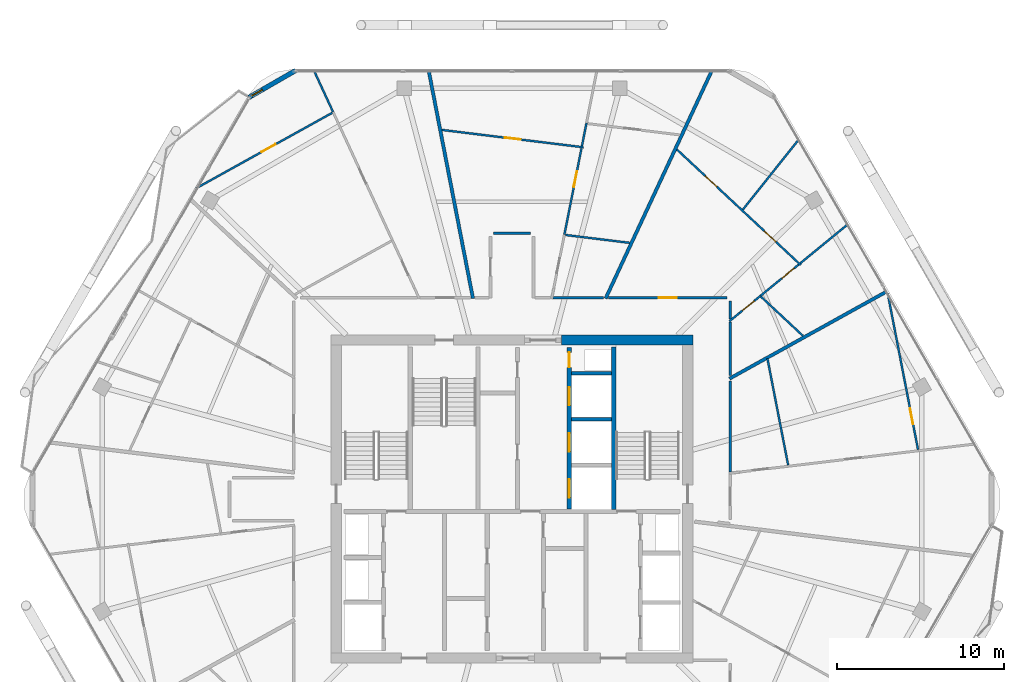
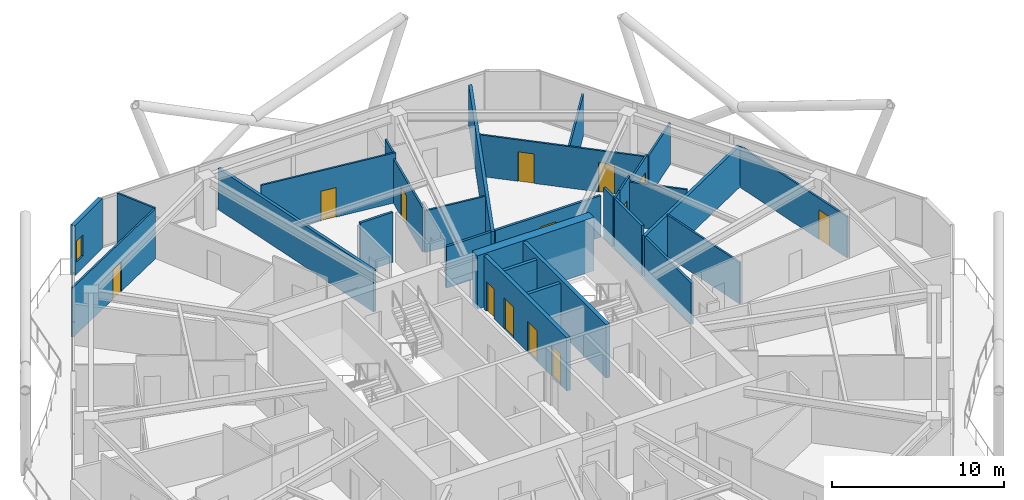
# One storey, part 24 of 29: 30 walls, 13 doors, 1 window, 14 openings.
"""IFC4 building model written with IfcOpenShell, lengths in metres."""

import ifcopenshell
import ifcopenshell.guid

model = None  # the IFC model being written
_history = None  # IfcOwnerHistory: only IFC2X3 demands one
_inside = {}  # id of a spatial element -> (the spatial element, [elements in it])
_under = {}  # id of a project, library or spatial element -> (it, [spatial elements below it])
_declared = {}  # id of a project -> (the project, [libraries it declares])
_typed = {}  # id of a type object -> (the type object, [elements of that type])
_made_of = {}  # id of a material, layer set ... -> (it, [elements and type objects made of it])


def new_model(schema):
    """Start an empty IFC model of exactly this schema.

    Asked for "IFC4X3", IfcOpenShell would pick the latest addendum, in which some entities
    have other attributes; the version numbers below select the first issue.
    IFC2X3 requires an IfcOwnerHistory on every rooted entity: one is made here for all.
    """
    global model, _history
    if schema == "IFC4X3":
        model = ifcopenshell.file(schema_version=(4, 3, 0, 0))
    else:
        model = ifcopenshell.file(schema=schema)
    _inside.clear()
    _under.clear()
    _declared.clear()
    _typed.clear()
    _made_of.clear()
    _history = None
    if model.schema == "IFC2X3":
        org = make("IfcOrganization", Name="unknown")
        user = make(
            "IfcPersonAndOrganization",
            ThePerson=make("IfcPerson", FamilyName="unknown"),
            TheOrganization=org,
        )
        app = make(
            "IfcApplication",
            ApplicationDeveloper=org,
            Version="unknown",
            ApplicationFullName="unknown",
            ApplicationIdentifier="unknown",
        )
        _history = make(
            "IfcOwnerHistory",
            OwningUser=user,
            OwningApplication=app,
            ChangeAction="ADDED",
            CreationDate=0,
        )
    return model


def make(cls, **values):
    """One entity of the class cls with the attributes given. An attribute that is None is left unset."""
    return model.create_entity(
        cls, **{name: value for name, value in values.items() if value is not None}
    )


def rooted(cls, **values):
    """An entity with a GlobalId (a new one), such as an element, a storey or a relation."""
    return make(cls, GlobalId=ifcopenshell.guid.new(), OwnerHistory=_history, **values)


def si_unit(unit_type, name, prefix=None):
    """IfcSIUnit, for example si_unit("LENGTHUNIT", "METRE", prefix="MILLI")."""
    return make("IfcSIUnit", UnitType=unit_type, Prefix=prefix, Name=name)


def assignment(units):
    """IfcUnitAssignment: the units of a project."""
    return None if units is None else make("IfcUnitAssignment", Units=units)


def point(xyz):
    """IfcCartesianPoint."""
    return None if xyz is None else make("IfcCartesianPoint", Coordinates=xyz)


def direction(xyz):
    """IfcDirection."""
    return None if xyz is None else make("IfcDirection", DirectionRatios=xyz)


def frame(location, z_axis=None, x_axis=None):
    """IfcAxis2Placement3D, a coordinate frame: its origin and axes. An axis left out is left unset."""
    return make(
        "IfcAxis2Placement3D",
        Location=point(location),
        Axis=direction(z_axis),
        RefDirection=direction(x_axis),
    )


def frame_2d(location, x_axis=None):
    """IfcAxis2Placement2D, a coordinate frame in the plane: its origin and x axis."""
    return make(
        "IfcAxis2Placement2D", Location=point(location), RefDirection=direction(x_axis)
    )


def origin():
    """The frame at (0, 0, 0) with its axes left unset."""
    return frame((0.0, 0.0, 0.0))


def place(relative_to, where):
    """IfcLocalPlacement: puts the frame where relative to a parent placement (None: the world)."""
    return make(
        "IfcLocalPlacement", PlacementRelTo=relative_to, RelativePlacement=where
    )


def context(
    kind, dimensions, precision=None, world=None, true_north=None, identifier=None
):
    """IfcGeometricRepresentationContext, for example the 3D "Model" context."""
    return make(
        "IfcGeometricRepresentationContext",
        ContextIdentifier=identifier,
        ContextType=kind,
        CoordinateSpaceDimension=dimensions,
        Precision=precision,
        WorldCoordinateSystem=world,
        TrueNorth=true_north,
    )


def subcontext(parent, identifier, kind, view, scale=None):
    """IfcGeometricRepresentationSubContext, for example "Body" below "Model"."""
    return make(
        "IfcGeometricRepresentationSubContext",
        ContextIdentifier=identifier,
        ContextType=kind,
        ParentContext=parent,
        TargetScale=scale,
        TargetView=view,
    )


def project(units=None, contexts=None):
    """IfcProject with its units and contexts."""
    return rooted(
        "IfcProject",
        Name="project",
        RepresentationContexts=contexts,
        UnitsInContext=assignment(units),
    )


def spatial(cls, under=None, at=None, **own):
    """A site, building, storey or space (cls), placed at a placement, below another one or the project."""
    s = rooted(cls, ObjectPlacement=at, **own)
    if under is not None:
        _under.setdefault(under.id(), (under, []))[1].append(s)
    return s


def profile(cls, at=None, kind="AREA", **sizes):
    """A parametric profile (cls). Its sizes go by their IFC names, for example OverallWidth=200.0."""
    return make(cls, ProfileType=kind, Position=at, **sizes)


def rectangle(**sizes):
    """IfcRectangleProfileDef."""
    return profile("IfcRectangleProfileDef", **sizes)


def extrude(swept, where, along, depth):
    """IfcExtrudedAreaSolid: the profile swept, set in the frame where, extruded along a direction by depth."""
    return make(
        "IfcExtrudedAreaSolid",
        SweptArea=swept,
        Position=where,
        ExtrudedDirection=direction(along),
        Depth=depth,
    )


def shape(context_of_items, identifier, shape_type, items):
    """IfcShapeRepresentation: the items that make up one representation, for example the "Body"."""
    return make(
        "IfcShapeRepresentation",
        ContextOfItems=context_of_items,
        RepresentationIdentifier=identifier,
        RepresentationType=shape_type,
        Items=items,
    )


def material(Name=None, Category=None):
    """IfcMaterial."""
    return make("IfcMaterial", Name=Name, Category=Category)


def layer(
    of_material, thickness, ventilated=None, Name=None, Category=None, Priority=None
):
    """IfcMaterialLayer: one layer of a wall or slab, of a material (None: an air gap)."""
    return make(
        "IfcMaterialLayer",
        Material=of_material,
        LayerThickness=thickness,
        IsVentilated=ventilated,
        Name=Name,
        Category=Category,
        Priority=Priority,
    )


def layer_set(layers, Name=None):
    """IfcMaterialLayerSet."""
    return make("IfcMaterialLayerSet", MaterialLayers=layers, LayerSetName=Name)


def made_of(thing, what):
    """Note that an element or type object is made of a material, layer set ...; save() writes the relation."""
    if what is not None:
        _made_of.setdefault(what.id(), (what, []))[1].append(thing)
    return thing


def type_object(cls, material=None, **own):
    """A type object (cls), such as IfcWallType, which elements share."""
    return made_of(rooted(cls, **own), material)


def element(
    cls,
    number,
    at=None,
    inside=None,
    cuts=None,
    type_object=None,
    material=None,
    context=None,
    identifier="Body",
    shape_type=None,
    held_by="IfcProductDefinitionShape",
    body=None,
    shapes=None,
    **own,
):
    """One element of the class cls, such as IfcWall. Its Tag is "e" and its number.

    at: its placement. inside: the storey or other place that contains it. cuts: it is an
    opening in that element (IfcRelVoidsElement). A single representation is given by context,
    identifier, shape_type and body (its items); several are given by shapes. held_by: the class
    of the entity that holds the representations. save() writes the other relations.
    """
    e = rooted(cls, Tag="e%d" % number, ObjectPlacement=at, **own)
    if body is not None:
        shapes = [shape(context, identifier, shape_type, body)]
    if shapes is not None:
        e.Representation = make(held_by, Representations=shapes)
    if inside is not None:
        _inside.setdefault(inside.id(), (inside, []))[1].append(e)
    if cuts is not None:
        rooted(
            "IfcRelVoidsElement", RelatingBuildingElement=cuts, RelatedOpeningElement=e
        )
    if type_object is not None:
        _typed.setdefault(type_object.id(), (type_object, []))[1].append(e)
    return made_of(e, material)


def fill(opening, filler):
    """IfcRelFillsElement: the door or window that sits in an opening."""
    return rooted(
        "IfcRelFillsElement",
        RelatingOpeningElement=opening,
        RelatedBuildingElement=filler,
    )


def aggregate(whole, parts):
    """IfcRelAggregates: a whole, such as a stair, and the parts it consists of."""
    return rooted("IfcRelAggregates", RelatingObject=whole, RelatedObjects=parts)


def save(model, path):
    """Write the relations noted so far, then the file.

    IfcRelAggregates (storeys below a building ...), IfcRelContainedInSpatialStructure (elements
    in a storey), IfcRelDefinesByType, IfcRelAssociatesMaterial and IfcRelDeclares: one each for
    every whole, place, type object, material and project.
    """
    for whole, parts in _under.values():
        aggregate(whole, parts)
    for where, things in _inside.values():
        rooted(
            "IfcRelContainedInSpatialStructure",
            RelatedElements=things,
            RelatingStructure=where,
        )
    for kind, things in _typed.values():
        rooted("IfcRelDefinesByType", RelatedObjects=things, RelatingType=kind)
    for what, things in _made_of.values():
        rooted("IfcRelAssociatesMaterial", RelatedObjects=things, RelatingMaterial=what)
    for by, libraries in _declared.values():
        rooted("IfcRelDeclares", RelatingContext=by, RelatedDefinitions=libraries)
    model.write(path)


model = new_model("IFC4")

# Units and contexts
model_context = context("Model", 3, precision=1e-05, world=origin(), true_north=direction((0.0, 1.0)))
body_context = subcontext(model_context, "Body", "Model", "MODEL_VIEW")
ifc_project = project(units=[si_unit("LENGTHUNIT", "METRE"), si_unit("AREAUNIT", "SQUARE_METRE"), si_unit("VOLUMEUNIT", "CUBIC_METRE"), si_unit("PLANEANGLEUNIT", "RADIAN"), si_unit("MASSUNIT", "GRAM", prefix="KILO")], contexts=[model_context])

# Site, building, storey
site_placement = place(None, origin())
site = spatial("IfcSite", under=ifc_project, at=site_placement, CompositionType="ELEMENT")
building_placement = place(site_placement, origin())
building = spatial("IfcBuilding", under=site, at=building_placement, Name="Zuhravey Tower", CompositionType="ELEMENT")
storey_placement = place(building_placement, frame((0.0, 0.0, 269.199951171875)))
storey = spatial("IfcBuildingStorey", under=building, at=storey_placement, Name="L68", CompositionType="ELEMENT", Elevation=269.199951171875)

# Wall
ifc_material_1 = material(Name="Concrete C50/60", Category="concrete")
ifc_layer_1 = layer(ifc_material_1, 0.60009765625)
ifc_layer_set_1 = layer_set([ifc_layer_1], Name="Concrete C50/60")
wall_type_1 = type_object("IfcWallType", Name="Core Shear Wall 600", PredefinedType="SHEAR", material=ifc_layer_set_1)
wall_1_placement = place(storey_placement, frame((46.800048828125, 41.5, 0.0), z_axis=(0.0, 0.0, 1.0), x_axis=(-1.0, 0.0, 0.0)))
element("IfcWall", 1, at=wall_1_placement, inside=storey, type_object=wall_type_1, Name="L68 North-East Core Shear Wall CW60", PredefinedType="SHEAR", context=body_context, shape_type="SweptSolid", body=[
    extrude(rectangle(XDim=7.85009765625, YDim=0.60009765625, at=frame_2d((3.925048828125, 0.0))), origin(), (0.0, 0.0, 1.0), 3.800048828125),
])

# Wall, opening, door
ifc_material_2 = material(Name="Gypsum fire-rated stud partition")
ifc_layer_2 = layer(ifc_material_2, 0.159912109375)
ifc_layer_set_2 = layer_set([ifc_layer_2], Name="Gypsum fire-rated stud partition")
wall_type_2 = type_object("IfcWallType", Name="Corridor Fire Partition 160", PredefinedType="PARTITIONING", material=ifc_layer_set_2)
wall_2_placement = place(storey_placement, frame((48.85009765625, 44.030029296875, 0.0), z_axis=(0.0, 0.0, 1.0), x_axis=(-1.0, 0.0, 0.0)))
wall_2 = element("IfcWall", 2, at=wall_2_placement, inside=storey, type_object=wall_type_2, Name="L68 IW16 Partition 059", PredefinedType="PARTITIONING", context=body_context, shape_type="SweptSolid", body=[
    extrude(rectangle(XDim=7.08984375, YDim=0.159912109375, at=frame_2d((3.544921875, 0.0))), origin(), (0.0, 0.0, 1.0), 2.949951171875),
])
opening_1_placement = place(wall_2_placement, frame((3.02001953125, 0.0, 0.0)))
opening_1 = element("IfcOpeningElement", 3, at=opening_1_placement, cuts=wall_2, Name="Opening APD1", PredefinedType="OPENING", context=body_context, shape_type="SweptSolid", body=[
    extrude(rectangle(XDim=1.050048828125, YDim=2.14990234375, at=frame_2d((0.52490234375, 1.074951171875))), frame((0.0, 0.092041015625, 0.0), z_axis=(0.0, -1.0, 0.0), x_axis=(1.0, 0.0, 0.0)), (0.0, 0.0, 1.0), 0.183837890625),
])
ifc_material_3 = material(Name="Solid-core oak fire-rated leaf")
door_type_1 = type_object("IfcDoorType", Name="Apartment Entrance Fire Door 1050x2150", OperationType="NOTDEFINED", PredefinedType="DOOR", material=ifc_material_3)
door_1_placement = place(opening_1_placement, frame((1.050048828125, 0.0, 0.0), z_axis=(0.0, 0.0, 1.0), x_axis=(-1.0, 0.0, 0.0)))
door_1 = element("IfcDoor", 4, at=door_1_placement, inside=storey, type_object=door_type_1, Name="L68 Door 059.1", OperationType="SINGLE_SWING_RIGHT", OverallHeight=2.14990234375, OverallWidth=1.050048828125, PredefinedType="DOOR", context=body_context, shape_type="SweptSolid", body=[
    extrude(rectangle(XDim=1.050048828125, YDim=2.14990234375, at=frame_2d((0.52490234375, 1.074951171875))), frame((0.0, 0.02490234375, 0.0), z_axis=(0.0, -1.0, 0.0), x_axis=(1.0, 0.0, 0.0)), (0.0, 0.0, 1.0), 0.050048828125),
])
fill(opening_1, door_1)

# Walls
wall_3_placement = place(storey_placement, frame((49.030029296875, 33.622314453125, 0.0), z_axis=(0.0, 0.0, 1.0), x_axis=(0.0, 1.0, 0.0)))
element("IfcWall", 5, at=wall_3_placement, inside=storey, type_object=wall_type_2, Name="L68 IW16 Partition 126", PredefinedType="PARTITIONING", context=body_context, shape_type="SweptSolid", body=[
    extrude(rectangle(XDim=5.4296875, YDim=0.159912109375, at=frame_2d((2.71484375, 0.0))), origin(), (0.0, 0.0, 1.0), 2.949951171875),
])
wall_4_placement = place(storey_placement, frame((49.030029296875, 42.752685546875, 0.0), z_axis=(0.0, 0.0, 1.0), x_axis=(0.0, 1.0, 0.0)))
element("IfcWall", 6, at=wall_4_placement, inside=storey, type_object=wall_type_2, Name="L68 IW16 Partition 127", PredefinedType="PARTITIONING", context=body_context, shape_type="SweptSolid", body=[
    extrude(rectangle(XDim=1.097412109375, YDim=0.159912109375, at=frame_2d((0.548828125, 0.0))), origin(), (0.0, 0.0, 1.0), 3.550048828125),
])
wall_5_placement = place(storey_placement, frame((49.030029296875, 39.39501953125, 0.0), z_axis=(0.0, 0.0, 1.0), x_axis=(0.0, 1.0, 0.0)))
element("IfcWall", 7, at=wall_5_placement, inside=storey, type_object=wall_type_2, Name="L68 IW16 Partition 128", PredefinedType="PARTITIONING", context=body_context, shape_type="SweptSolid", body=[
    extrude(rectangle(XDim=3.18212890625, YDim=0.159912109375, at=frame_2d((1.591064453125, 0.0))), origin(), (0.0, 0.0, 1.0), 3.550048828125),
])
wall_6_placement = place(storey_placement, frame((37.10009765625, 47.8798828125, 0.0), z_axis=(0.0, 0.0, 1.0), x_axis=(-1.0, 0.0, 0.0)))
element("IfcWall", 8, at=wall_6_placement, inside=storey, type_object=wall_type_2, Name="L68 IW16 Partition 130", PredefinedType="PARTITIONING", context=body_context, shape_type="SweptSolid", body=[
    extrude(rectangle(XDim=2.2001953125, YDim=0.159912109375, at=frame_2d((1.10009765625, 0.0))), origin(), (0.0, 0.0, 1.0), 3.550048828125),
])
wall_7_placement = place(storey_placement, frame((41.46044921875, 44.030029296875, 0.0), z_axis=(0.0, 0.0, 1.0), x_axis=(-1.0, 0.0, 0.0)))
element("IfcWall", 9, at=wall_7_placement, inside=storey, type_object=wall_type_2, Name="L68 IW16 Partition 133", PredefinedType="PARTITIONING", context=body_context, shape_type="SweptSolid", body=[
    extrude(rectangle(XDim=3.009033203125, YDim=0.159912109375, at=frame_2d((1.50439453125, 0.0))), origin(), (0.0, 0.0, 1.0), 2.949951171875),
])

# Wall, opening, window
ifc_material_4 = material(Name="Precast concrete C40/50", Category="concrete")
ifc_layer_3 = layer(ifc_material_4, 0.280029296875)
ifc_layer_set_3 = layer_set([ifc_layer_3], Name="Precast concrete C40/50")
wall_type_3 = type_object("IfcWallType", Name="Crown Architectural Wall 280", PredefinedType="SOLIDWALL", material=ifc_layer_set_3)
wall_8_placement = place(storey_placement, frame((20.285400390625, 56.003662109375, 0.0), z_axis=(0.0, 0.0, 1.0), x_axis=(0.866028773314, 0.499994163758, 0.0)))
wall_8 = element("IfcWall", 10, at=wall_8_placement, inside=storey, type_object=wall_type_3, Name="L68 Rounded Corner Closure Wall EW28-08", PredefinedType="SOLIDWALL", context=body_context, shape_type="SweptSolid", body=[
    extrude(rectangle(XDim=3.21484375, YDim=0.280029296875, at=frame_2d((1.607421875, 0.0))), origin(), (0.0, 0.0, 1.0), 3.550048828125),
])
opening_2_placement = place(wall_8_placement, frame((0.17578125, 0.0, 0.85009765625)))
opening_2 = element("IfcOpeningElement", 11, at=opening_2_placement, cuts=wall_8, Name="Opening WN5", PredefinedType="OPENING", context=body_context, shape_type="SweptSolid", body=[
    extrude(rectangle(XDim=0.75, YDim=1.5, at=frame_2d((0.375, 0.75))), frame((0.0, 0.152099609375, 0.0), z_axis=(0.0, -1.0, 0.0), x_axis=(1.0, 0.0, 0.0)), (0.0, 0.0, 1.0), 0.303955078125),
])
ifc_material_5 = material(Name="Thermally broken aluminium and triple low-E glass", Category="aluminium")
window_type = type_object("IfcWindowType", Name="Residential Corner Casement Window 750x1500", PartitioningType="SINGLE_PANEL", PredefinedType="WINDOW", material=ifc_material_5)
window_placement = place(opening_2_placement, origin())
window = element("IfcWindow", 12, at=window_placement, inside=storey, type_object=window_type, Name="L68 Corner Casement Window WN5-08.1", OverallHeight=1.5, OverallWidth=0.75, PartitioningType="SINGLE_PANEL", PredefinedType="WINDOW", context=body_context, shape_type="SweptSolid", body=[
    extrude(rectangle(XDim=0.75, YDim=1.5, at=frame_2d((0.375, 0.75))), frame((0.0, 0.030029296875, 0.0), z_axis=(0.0, -1.0, 0.0), x_axis=(1.0, 0.0, 0.0)), (0.0, 0.0, 1.0), 0.06005859375),
])
fill(opening_2, window)

# Wall
ifc_layer_4 = layer(ifc_material_1, 0.25)
ifc_layer_set_4 = layer_set([ifc_layer_4], Name="Concrete C50/60")
wall_type_4 = type_object("IfcWallType", Name="Firefighting Shaft & Stair Wall 250", PredefinedType="SOLIDWALL", material=ifc_layer_set_4)
wall_9_placement = place(storey_placement, frame((42.074951171875, 31.39990234375, 0.0), z_axis=(0.0, 0.0, 1.0), x_axis=(0.0, 1.0, 0.0)))
element("IfcWall", 13, at=wall_9_placement, inside=storey, type_object=wall_type_4, Name="L68 FW25 Shaft Wall 006", PredefinedType="SOLIDWALL", context=body_context, shape_type="SweptSolid", body=[
    extrude(rectangle(XDim=9.7001953125, YDim=0.25, at=frame_2d((4.85009765625, 0.0))), origin(), (0.0, 0.0, 1.0), 3.800048828125),
])

# Wall, openings, doors
wall_10_placement = place(storey_placement, frame((39.425048828125, 31.39990234375, 0.0), z_axis=(0.0, 0.0, 1.0), x_axis=(0.0, 1.0, 0.0)))
wall_10 = element("IfcWall", 14, at=wall_10_placement, inside=storey, type_object=wall_type_4, Name="L68 FW25 Shaft Wall 008", PredefinedType="SOLIDWALL", context=body_context, shape_type="SweptSolid", body=[
    extrude(rectangle(XDim=9.650146484375, YDim=0.25, at=frame_2d((4.8251953125, 0.0))), origin(), (0.0, 0.0, 1.0), 3.800048828125),
])
opening_3_placement = place(wall_10_placement, frame((0.699951171875, 0.0, 0.0)))
opening_3 = element("IfcOpeningElement", 15, at=opening_3_placement, cuts=wall_10, Name="Opening LD1", PredefinedType="OPENING", context=body_context, shape_type="SweptSolid", body=[
    extrude(rectangle(XDim=1.10009765625, YDim=2.199951171875, at=frame_2d((0.550048828125, 1.10009765625))), frame((0.0, 0.136962890625, 0.0), z_axis=(0.0, -1.0, 0.0), x_axis=(1.0, 0.0, 0.0)), (0.0, 0.0, 1.0), 0.27392578125),
])
opening_4_placement = place(wall_10_placement, frame((3.449951171875, 0.0, 0.0)))
opening_4 = element("IfcOpeningElement", 16, at=opening_4_placement, cuts=wall_10, Name="Opening LD1", PredefinedType="OPENING", context=body_context, shape_type="SweptSolid", body=[
    extrude(rectangle(XDim=1.10009765625, YDim=2.199951171875, at=frame_2d((0.550048828125, 1.10009765625))), frame((0.0, 0.136962890625, 0.0), z_axis=(0.0, -1.0, 0.0), x_axis=(1.0, 0.0, 0.0)), (0.0, 0.0, 1.0), 0.27392578125),
])
opening_5_placement = place(wall_10_placement, frame((6.199951171875, 0.0, 0.0)))
opening_5 = element("IfcOpeningElement", 17, at=opening_5_placement, cuts=wall_10, Name="Opening LD1", PredefinedType="OPENING", context=body_context, shape_type="SweptSolid", body=[
    extrude(rectangle(XDim=1.10009765625, YDim=2.199951171875, at=frame_2d((0.550048828125, 1.10009765625))), frame((0.0, 0.136962890625, 0.0), z_axis=(0.0, -1.0, 0.0), x_axis=(1.0, 0.0, 0.0)), (0.0, 0.0, 1.0), 0.27392578125),
])
opening_6_placement = place(wall_10_placement, frame((8.469970703125, 0.0, 0.0)))
opening_6 = element("IfcOpeningElement", 18, at=opening_6_placement, cuts=wall_10, Name="Opening RSD1", PredefinedType="OPENING", context=body_context, shape_type="SweptSolid", body=[
    extrude(rectangle(XDim=0.89990234375, YDim=2.10009765625, at=frame_2d((0.449951171875, 1.050048828125))), frame((0.0, 0.136962890625, 0.0), z_axis=(0.0, -1.0, 0.0), x_axis=(1.0, 0.0, 0.0)), (0.0, 0.0, 1.0), 0.27392578125),
])
ifc_material_6 = material(Name="Brushed stainless steel", Category="steel")
door_type_2 = type_object("IfcDoorType", Name="Lift Landing Sliding Door 1100x2200", OperationType="DOUBLE_DOOR_SLIDING", PredefinedType="DOOR", material=ifc_material_6)
door_2_placement = place(opening_3_placement, origin())
door_2 = element("IfcDoor", 19, at=door_2_placement, inside=storey, type_object=door_type_2, Name="L68 Lift PL7 Landing Door", OperationType="DOUBLE_DOOR_SLIDING", OverallHeight=2.199951171875, OverallWidth=1.10009765625, PredefinedType="DOOR", context=body_context, shape_type="SweptSolid", body=[
    extrude(rectangle(XDim=1.10009765625, YDim=2.199951171875, at=frame_2d((0.550048828125, 1.10009765625))), frame((0.0, 0.02490234375, 0.0), z_axis=(0.0, -1.0, 0.0), x_axis=(1.0, 0.0, 0.0)), (0.0, 0.0, 1.0), 0.050048828125),
])
fill(opening_3, door_2)
door_3_placement = place(opening_4_placement, origin())
door_3 = element("IfcDoor", 20, at=door_3_placement, inside=storey, type_object=door_type_2, Name="L68 Lift PL8 Landing Door", OperationType="DOUBLE_DOOR_SLIDING", OverallHeight=2.199951171875, OverallWidth=1.10009765625, PredefinedType="DOOR", context=body_context, shape_type="SweptSolid", body=[
    extrude(rectangle(XDim=1.10009765625, YDim=2.199951171875, at=frame_2d((0.550048828125, 1.10009765625))), frame((0.0, 0.02490234375, 0.0), z_axis=(0.0, -1.0, 0.0), x_axis=(1.0, 0.0, 0.0)), (0.0, 0.0, 1.0), 0.050048828125),
])
fill(opening_4, door_3)
door_4_placement = place(opening_5_placement, origin())
door_4 = element("IfcDoor", 21, at=door_4_placement, inside=storey, type_object=door_type_2, Name="L68 Lift PL9 Landing Door", OperationType="DOUBLE_DOOR_SLIDING", OverallHeight=2.199951171875, OverallWidth=1.10009765625, PredefinedType="DOOR", context=body_context, shape_type="SweptSolid", body=[
    extrude(rectangle(XDim=1.10009765625, YDim=2.199951171875, at=frame_2d((0.550048828125, 1.10009765625))), frame((0.0, 0.02490234375, 0.0), z_axis=(0.0, -1.0, 0.0), x_axis=(1.0, 0.0, 0.0)), (0.0, 0.0, 1.0), 0.050048828125),
])
fill(opening_5, door_4)
ifc_material_7 = material(Name="Galvanised fire-rated steel access leaf", Category="steel")
door_type_3 = type_object("IfcDoorType", Name="Riser & Shaft Access Fire Door 900x2100", OperationType="NOTDEFINED", PredefinedType="DOOR", material=ifc_material_7)
door_5_placement = place(opening_6_placement, origin())
door_5 = element("IfcDoor", 22, at=door_5_placement, inside=storey, type_object=door_type_3, Name="L68 North Riser Door", OperationType="SINGLE_SWING_RIGHT", OverallHeight=2.10009765625, OverallWidth=0.89990234375, PredefinedType="DOOR", context=body_context, shape_type="SweptSolid", body=[
    extrude(rectangle(XDim=0.89990234375, YDim=2.10009765625, at=frame_2d((0.449951171875, 1.050048828125))), frame((0.0, 0.02490234375, 0.0), z_axis=(0.0, -1.0, 0.0), x_axis=(1.0, 0.0, 0.0)), (0.0, 0.0, 1.0), 0.050048828125),
])
fill(opening_6, door_5)

# Walls
ifc_material_8 = material(Name="Gypsum double-stud party assembly")
ifc_layer_5 = layer(ifc_material_8, 0.199951171875)
ifc_layer_set_5 = layer_set([ifc_layer_5], Name="Gypsum double-stud party assembly")
wall_type_5 = type_object("IfcWallType", Name="Inter-Tenancy Party Wall 200", PredefinedType="PARTITIONING", material=ifc_layer_set_5)
wall_11_placement = place(storey_placement, frame((48.989990234375, 39.200439453125, 0.0), z_axis=(0.0, 0.0, 1.0), x_axis=(0.874612572959, 0.484822490426, 0.0)))
element("IfcWall", 23, at=wall_11_placement, inside=storey, type_object=wall_type_5, Name="L68 IW20 Partition 101", PredefinedType="PARTITIONING", context=body_context, shape_type="SweptSolid", body=[
    extrude(rectangle(XDim=10.71533203125, YDim=0.199951171875, at=frame_2d((5.357666015625, 0.0))), origin(), (0.0, 0.0, 1.0), 2.929931640625),
])
wall_12_placement = place(storey_placement, frame((41.591064453125, 43.989990234375, 0.0), z_axis=(0.0, 0.0, 1.0), x_axis=(0.422607909104, 0.906312614479, 0.0)))
element("IfcWall", 24, at=wall_12_placement, inside=storey, type_object=wall_type_5, Name="L68 IW20 Partition 105", PredefinedType="PARTITIONING", context=body_context, shape_type="SweptSolid", body=[
    extrude(rectangle(XDim=14.976806640625, YDim=0.199951171875, at=frame_2d((7.48828125, 0.0))), origin(), (0.0, 0.0, 1.0), 2.929931640625),
])
wall_13_placement = place(storey_placement, frame((33.66943359375, 43.989990234375, 0.0), z_axis=(0.0, 0.0, 1.0), x_axis=(-0.190806334077, 0.981627700748, 0.0)))
element("IfcWall", 25, at=wall_13_placement, inside=storey, type_object=wall_type_5, Name="L68 IW20 Partition 109", PredefinedType="PARTITIONING", context=body_context, shape_type="SweptSolid", body=[
    extrude(rectangle(XDim=13.827880859375, YDim=0.199951171875, at=frame_2d((6.9140625, 0.0))), origin(), (0.0, 0.0, 1.0), 2.929931640625),
])
ifc_material_9 = material(Name="Gypsum acoustic stud assembly")
ifc_layer_6 = layer(ifc_material_9, 0.219970703125)
ifc_layer_set_6 = layer_set([ifc_layer_6], Name="Gypsum acoustic stud assembly")
wall_type_6 = type_object("IfcWallType", Name="School Acoustic Compartment Wall 220", PredefinedType="PARTITIONING", material=ifc_layer_set_6)
for number, where, z_axis, x_axis, name in (
    (26, (39.55810546875, 36.77490234375, 0.0), (0.0, 0.0, 1.0), (1.0, 0.0, 0.0), "L68 IW22 Partition 072"),
    (27, (39.55810546875, 39.52490234375, 0.0), (0.0, 0.0, 1.0), (1.0, 0.0, 0.0), "L68 IW22 Partition 073"),
):
    element("IfcWall", number, at=place(storey_placement, frame(where, z_axis=z_axis, x_axis=x_axis)), inside=storey, type_object=wall_type_6, Name=name, PredefinedType="PARTITIONING", context=body_context, shape_type="SweptSolid", body=[
        extrude(rectangle(XDim=2.3837890625, YDim=0.219970703125, at=frame_2d((1.19189453125, 0.0))), origin(), (0.0, 0.0, 1.0), 3.550048828125),
    ])

# Wall, opening, door
ifc_material_10 = material(Name="Gypsum metal-stud partition")
ifc_layer_7 = layer(ifc_material_10, 0.1201171875)
ifc_layer_set_7 = layer_set([ifc_layer_7], Name="Gypsum metal-stud partition")
wall_type_7 = type_object("IfcWallType", Name="Unit Internal Partition 120", PredefinedType="PARTITIONING", material=ifc_layer_set_7)
wall_14_placement = place(storey_placement, frame((60.257080078125, 34.9609375, 0.0), z_axis=(0.0, 0.0, 1.0), x_axis=(-0.190833223762, 0.981622473616, 0.0)))
wall_14 = element("IfcWall", 28, at=wall_14_placement, inside=storey, type_object=wall_type_7, Name="L68 IW12 Partition 053", PredefinedType="PARTITIONING", context=body_context, shape_type="SweptSolid", body=[
    extrude(rectangle(XDim=9.505615234375, YDim=0.1201171875, at=frame_2d((4.7529296875, 0.0))), origin(), (0.0, 0.0, 1.0), 2.929931640625),
])
opening_7_placement = place(wall_14_placement, frame((1.553466796875, 0.0, 0.0)))
opening_7 = element("IfcOpeningElement", 29, at=opening_7_placement, cuts=wall_14, Name="Opening IND1", PredefinedType="OPENING", context=body_context, shape_type="SweptSolid", body=[
    extrude(rectangle(XDim=0.949951171875, YDim=2.10009765625, at=frame_2d((0.47509765625, 1.050048828125))), frame((0.0, 0.072021484375, 0.0), z_axis=(0.0, -1.0, 0.0), x_axis=(1.0, 0.0, 0.0)), (0.0, 0.0, 1.0), 0.14404296875),
])
ifc_material_11 = material(Name="Painted engineered timber leaf", Category="wood")
door_type_4 = type_object("IfcDoorType", Name="Internal Room & Bedroom Door 950x2100", OperationType="NOTDEFINED", PredefinedType="DOOR", material=ifc_material_11)
door_6_placement = place(opening_7_placement, frame((0.949951171875, 0.0, 0.0), z_axis=(0.0, 0.0, 1.0), x_axis=(-1.0, 0.0, 0.0)))
door_6 = element("IfcDoor", 30, at=door_6_placement, inside=storey, type_object=door_type_4, Name="Apartment L68-07 Bedroom 1 Door", OperationType="SINGLE_SWING_RIGHT", OverallHeight=2.10009765625, OverallWidth=0.949951171875, PredefinedType="DOOR", context=body_context, shape_type="SweptSolid", body=[
    extrude(rectangle(XDim=0.949951171875, YDim=2.10009765625, at=frame_2d((0.47509765625, 1.050048828125))), frame((0.0, 0.02490234375, 0.0), z_axis=(0.0, -1.0, 0.0), x_axis=(1.0, 0.0, 0.0)), (0.0, 0.0, 1.0), 0.050048828125),
])
fill(opening_7, door_6)

# Wall, openings, doors
wall_15_placement = place(storey_placement, frame((53.250244140625, 45.989990234375, 0.0), z_axis=(0.0, 0.0, 1.0), x_axis=(-0.731343343845, 0.682009467246, 0.0)))
wall_15 = element("IfcWall", 31, at=wall_15_placement, inside=storey, type_object=wall_type_7, Name="L68 IW12 Partition 055", PredefinedType="PARTITIONING", context=body_context, shape_type="SweptSolid", body=[
    extrude(rectangle(XDim=10.115234375, YDim=0.1201171875, at=frame_2d((5.0576171875, 0.0))), origin(), (0.0, 0.0, 1.0), 2.949951171875),
])
opening_8_placement = place(wall_15_placement, frame((2.03662109375, 0.0, 0.0)))
opening_8 = element("IfcOpeningElement", 32, at=opening_8_placement, cuts=wall_15, Name="Opening IND1", PredefinedType="OPENING", context=body_context, shape_type="SweptSolid", body=[
    extrude(rectangle(XDim=0.949951171875, YDim=2.10009765625, at=frame_2d((0.47509765625, 1.050048828125))), frame((0.0, 0.072021484375, 0.0), z_axis=(0.0, -1.0, 0.0), x_axis=(1.0, 0.0, 0.0)), (0.0, 0.0, 1.0), 0.14404296875),
])
opening_9_placement = place(wall_15_placement, frame((6.85400390625, 0.0, 0.0)))
opening_9 = element("IfcOpeningElement", 33, at=opening_9_placement, cuts=wall_15, Name="Opening IND1", PredefinedType="OPENING", context=body_context, shape_type="SweptSolid", body=[
    extrude(rectangle(XDim=0.949951171875, YDim=2.10009765625, at=frame_2d((0.47509765625, 1.050048828125))), frame((0.0, 0.072021484375, 0.0), z_axis=(0.0, -1.0, 0.0), x_axis=(1.0, 0.0, 0.0)), (0.0, 0.0, 1.0), 0.14404296875),
])
door_7_placement = place(opening_8_placement, frame((0.949951171875, 0.0, 0.0), z_axis=(0.0, 0.0, 1.0), x_axis=(-1.0, 0.0, 0.0)))
door_7 = element("IfcDoor", 34, at=door_7_placement, inside=storey, type_object=door_type_4, Name="Apartment L68-08 Family Study Door", OperationType="SINGLE_SWING_RIGHT", OverallHeight=2.10009765625, OverallWidth=0.949951171875, PredefinedType="DOOR", context=body_context, shape_type="SweptSolid", body=[
    extrude(rectangle(XDim=0.949951171875, YDim=2.10009765625, at=frame_2d((0.47509765625, 1.050048828125))), frame((0.0, 0.02490234375, 0.0), z_axis=(0.0, -1.0, 0.0), x_axis=(1.0, 0.0, 0.0)), (0.0, 0.0, 1.0), 0.050048828125),
])
fill(opening_8, door_7)
door_8_placement = place(opening_9_placement, frame((0.949951171875, 0.0, 0.0), z_axis=(0.0, 0.0, 1.0), x_axis=(-1.0, 0.0, 0.0)))
door_8 = element("IfcDoor", 35, at=door_8_placement, inside=storey, type_object=door_type_4, Name="Apartment L68-08 Dining Room Door", OperationType="SINGLE_SWING_LEFT", OverallHeight=2.10009765625, OverallWidth=0.949951171875, PredefinedType="DOOR", context=body_context, shape_type="SweptSolid", body=[
    extrude(rectangle(XDim=0.949951171875, YDim=2.10009765625, at=frame_2d((0.47509765625, 1.050048828125))), frame((0.0, 0.02490234375, 0.0), z_axis=(0.0, -1.0, 0.0), x_axis=(1.0, 0.0, 0.0)), (0.0, 0.0, 1.0), 0.050048828125),
])
fill(opening_9, door_8)

# Wall, opening, door
wall_16_placement = place(storey_placement, frame((49.60009765625, 43.131591796875, 0.0), z_axis=(0.0, 0.0, 1.0), x_axis=(0.773876497014, 0.633336535635, 0.0)))
wall_16 = element("IfcWall", 36, at=wall_16_placement, inside=storey, type_object=wall_type_7, Name="L68 IW12 Partition 056", PredefinedType="PARTITIONING", context=body_context, shape_type="SweptSolid", body=[
    extrude(rectangle(XDim=1.615478515625, YDim=0.1201171875, at=frame_2d((0.8076171875, 0.0))), origin(), (0.0, 0.0, 1.0), 3.550048828125),
])
opening_10_placement = place(wall_16_placement, frame((0.228515625, 0.0, 0.0)))
opening_10 = element("IfcOpeningElement", 37, at=opening_10_placement, cuts=wall_16, Name="Opening WCD1", PredefinedType="OPENING", context=body_context, shape_type="SweptSolid", body=[
    extrude(rectangle(XDim=0.89990234375, YDim=2.10009765625, at=frame_2d((0.449951171875, 1.050048828125))), frame((0.0, 0.072021484375, 0.0), z_axis=(0.0, -1.0, 0.0), x_axis=(1.0, 0.0, 0.0)), (0.0, 0.0, 1.0), 0.14404296875),
])
ifc_material_12 = material(Name="Moisture-resistant timber leaf", Category="wood")
door_type_5 = type_object("IfcDoorType", Name="Bathroom & WC Internal Door 900x2100", OperationType="NOTDEFINED", PredefinedType="DOOR", material=ifc_material_12)
door_9_placement = place(opening_10_placement, frame((0.89990234375, 0.0, 0.0), z_axis=(0.0, 0.0, 1.0), x_axis=(-1.0, 0.0, 0.0)))
door_9 = element("IfcDoor", 38, at=door_9_placement, inside=storey, type_object=door_type_5, Name="Apartment L68-08 Bathroom Door", OperationType="SINGLE_SWING_RIGHT", OverallHeight=2.10009765625, OverallWidth=0.89990234375, PredefinedType="DOOR", context=body_context, shape_type="SweptSolid", body=[
    extrude(rectangle(XDim=0.89990234375, YDim=2.10009765625, at=frame_2d((0.449951171875, 1.050048828125))), frame((0.0, 0.02490234375, 0.0), z_axis=(0.0, -1.0, 0.0), x_axis=(1.0, 0.0, 0.0)), (0.0, 0.0, 1.0), 0.050048828125),
])
fill(opening_10, door_9)

wall_17_placement = place(storey_placement, frame((50.850341796875, 44.15478515625, 0.0), z_axis=(0.0, 0.0, 1.0), x_axis=(0.773805447129, 0.633423341844, 0.0)))
wall_17 = element("IfcWall", 39, at=wall_17_placement, inside=storey, type_object=wall_type_7, Name="L68 IW12 Partition 057", PredefinedType="PARTITIONING", context=body_context, shape_type="SweptSolid", body=[
    extrude(rectangle(XDim=2.937255859375, YDim=0.1201171875, at=frame_2d((1.46875, 0.0))), origin(), (0.0, 0.0, 1.0), 3.150146484375),
])
opening_11_placement = place(wall_17_placement, frame((1.640625, 0.0, 0.0)))
opening_11 = element("IfcOpeningElement", 40, at=opening_11_placement, cuts=wall_17, Name="Opening IND1", PredefinedType="OPENING", context=body_context, shape_type="SweptSolid", body=[
    extrude(rectangle(XDim=0.949951171875, YDim=2.10009765625, at=frame_2d((0.47509765625, 1.050048828125))), frame((0.0, 0.072021484375, 0.0), z_axis=(0.0, -1.0, 0.0), x_axis=(1.0, 0.0, 0.0)), (0.0, 0.0, 1.0), 0.14404296875),
])
door_10_placement = place(opening_11_placement, frame((0.949951171875, 0.0, 0.0), z_axis=(0.0, 0.0, 1.0), x_axis=(-1.0, 0.0, 0.0)))
door_10 = element("IfcDoor", 41, at=door_10_placement, inside=storey, type_object=door_type_4, Name="Apartment L68-08 Bedroom 1 Door", OperationType="SINGLE_SWING_LEFT", OverallHeight=2.10009765625, OverallWidth=0.949951171875, PredefinedType="DOOR", context=body_context, shape_type="SweptSolid", body=[
    extrude(rectangle(XDim=0.949951171875, YDim=2.10009765625, at=frame_2d((0.47509765625, 1.050048828125))), frame((0.0, 0.02490234375, 0.0), z_axis=(0.0, -1.0, 0.0), x_axis=(1.0, 0.0, 0.0)), (0.0, 0.0, 1.0), 0.050048828125),
])
fill(opening_11, door_10)

# Wall
wall_18_placement = place(storey_placement, frame((53.2294921875, 46.102294921875, 0.0), z_axis=(0.0, 0.0, 1.0), x_axis=(0.773858778819, 0.633358184951, 0.0)))
element("IfcWall", 42, at=wall_18_placement, inside=storey, type_object=wall_type_7, Name="L68 IW12 Partition 058", PredefinedType="PARTITIONING", context=body_context, shape_type="SweptSolid", body=[
    extrude(rectangle(XDim=3.643798828125, YDim=0.1201171875, at=frame_2d((1.82177734375, 0.0))), origin(), (0.0, 0.0, 1.0), 2.929931640625),
])

# Wall, opening, door
wall_19_placement = place(storey_placement, frame((40.264892578125, 53.02392578125, 0.0), z_axis=(0.0, 0.0, 1.0), x_axis=(-0.992544489296, 0.121882881359, 0.0)))
wall_19 = element("IfcWall", 43, at=wall_19_placement, inside=storey, type_object=wall_type_7, Name="L68 IW12 Partition 060", PredefinedType="PARTITIONING", context=body_context, shape_type="SweptSolid", body=[
    extrude(rectangle(XDim=8.51904296875, YDim=0.1201171875, at=frame_2d((4.259521484375, 0.0))), origin(), (0.0, 0.0, 1.0), 3.550048828125),
])
opening_12_placement = place(wall_19_placement, frame((3.784423828125, 0.0, 0.0)))
opening_12 = element("IfcOpeningElement", 44, at=opening_12_placement, cuts=wall_19, Name="Opening IND1", PredefinedType="OPENING", context=body_context, shape_type="SweptSolid", body=[
    extrude(rectangle(XDim=0.949951171875, YDim=2.10009765625, at=frame_2d((0.47509765625, 1.050048828125))), frame((0.0, 0.072021484375, 0.0), z_axis=(0.0, -1.0, 0.0), x_axis=(1.0, 0.0, 0.0)), (0.0, 0.0, 1.0), 0.14404296875),
])
door_11_placement = place(opening_12_placement, frame((0.949951171875, 0.0, 0.0), z_axis=(0.0, 0.0, 1.0), x_axis=(-1.0, 0.0, 0.0)))
door_11 = element("IfcDoor", 45, at=door_11_placement, inside=storey, type_object=door_type_4, Name="Apartment L68-09 Family Study Door", OperationType="SINGLE_SWING_LEFT", OverallHeight=2.10009765625, OverallWidth=0.949951171875, PredefinedType="DOOR", context=body_context, shape_type="SweptSolid", body=[
    extrude(rectangle(XDim=0.949951171875, YDim=2.10009765625, at=frame_2d((0.47509765625, 1.050048828125))), frame((0.0, 0.02490234375, 0.0), z_axis=(0.0, -1.0, 0.0), x_axis=(1.0, 0.0, 0.0)), (0.0, 0.0, 1.0), 0.050048828125),
])
fill(opening_12, door_11)

wall_20_placement = place(storey_placement, frame((39.132080078125, 47.818115234375, 0.0), z_axis=(0.0, 0.0, 1.0), x_axis=(0.194247124133, 0.980952626158, 0.0)))
wall_20 = element("IfcWall", 46, at=wall_20_placement, inside=storey, type_object=wall_type_7, Name="L68 IW12 Partition 062", PredefinedType="PARTITIONING", context=body_context, shape_type="SweptSolid", body=[
    extrude(rectangle(XDim=5.251220703125, YDim=0.1201171875, at=frame_2d((2.62548828125, 0.0))), origin(), (0.0, 0.0, 1.0), 3.150146484375),
])
opening_13_placement = place(wall_20_placement, frame((2.8916015625, 0.0, 0.0)))
opening_13 = element("IfcOpeningElement", 47, at=opening_13_placement, cuts=wall_20, Name="Opening IND1", PredefinedType="OPENING", context=body_context, shape_type="SweptSolid", body=[
    extrude(rectangle(XDim=0.949951171875, YDim=2.10009765625, at=frame_2d((0.47509765625, 1.050048828125))), frame((0.0, 0.072021484375, 0.0), z_axis=(0.0, -1.0, 0.0), x_axis=(1.0, 0.0, 0.0)), (0.0, 0.0, 1.0), 0.14404296875),
])
door_12_placement = place(opening_13_placement, frame((0.949951171875, 0.0, 0.0), z_axis=(0.0, 0.0, 1.0), x_axis=(-1.0, 0.0, 0.0)))
door_12 = element("IfcDoor", 48, at=door_12_placement, inside=storey, type_object=door_type_4, Name="Apartment L68-09 Home Office Door", OperationType="SINGLE_SWING_LEFT", OverallHeight=2.10009765625, OverallWidth=0.949951171875, PredefinedType="DOOR", context=body_context, shape_type="SweptSolid", body=[
    extrude(rectangle(XDim=0.949951171875, YDim=2.10009765625, at=frame_2d((0.47509765625, 1.050048828125))), frame((0.0, 0.02490234375, 0.0), z_axis=(0.0, -1.0, 0.0), x_axis=(1.0, 0.0, 0.0)), (0.0, 0.0, 1.0), 0.050048828125),
])
fill(opening_13, door_12)

# Wall
wall_21_placement = place(storey_placement, frame((40.178466796875, 53.10302734375, 0.0), z_axis=(0.0, 0.0, 1.0), x_axis=(0.194299662618, 0.980942221085, 0.0)))
element("IfcWall", 49, at=wall_21_placement, inside=storey, type_object=wall_type_7, Name="L68 IW12 Partition 063", PredefinedType="PARTITIONING", context=body_context, shape_type="SweptSolid", body=[
    extrude(rectangle(XDim=1.39599609375, YDim=0.1201171875, at=frame_2d((0.697998046875, 0.0))), origin(), (0.0, 0.0, 1.0), 3.550048828125),
])

# Wall, opening, door
wall_22_placement = place(storey_placement, frame((25.260009765625, 55.081787109375, 0.0), z_axis=(0.0, 0.0, 1.0), x_axis=(-0.874617638419, -0.484813352298, 0.0)))
wall_22 = element("IfcWall", 50, at=wall_22_placement, inside=storey, type_object=wall_type_7, Name="L68 IW12 Partition 068", PredefinedType="PARTITIONING", context=body_context, shape_type="SweptSolid", body=[
    extrude(rectangle(XDim=9.32275390625, YDim=0.1201171875, at=frame_2d((4.661376953125, 0.0))), origin(), (0.0, 0.0, 1.0), 3.550048828125),
])
opening_14_placement = place(wall_22_placement, frame((3.882080078125, 0.0, 0.0)))
opening_14 = element("IfcOpeningElement", 51, at=opening_14_placement, cuts=wall_22, Name="Opening IND1", PredefinedType="OPENING", context=body_context, shape_type="SweptSolid", body=[
    extrude(rectangle(XDim=0.949951171875, YDim=2.10009765625, at=frame_2d((0.47509765625, 1.050048828125))), frame((0.0, 0.072021484375, 0.0), z_axis=(0.0, -1.0, 0.0), x_axis=(1.0, 0.0, 0.0)), (0.0, 0.0, 1.0), 0.14404296875),
])
door_13_placement = place(opening_14_placement, frame((0.949951171875, 0.0, 0.0), z_axis=(0.0, 0.0, 1.0), x_axis=(-1.0, 0.0, 0.0)))
door_13 = element("IfcDoor", 52, at=door_13_placement, inside=storey, type_object=door_type_4, Name="Apartment L68-10 Bedroom 1 Door", OperationType="SINGLE_SWING_RIGHT", OverallHeight=2.10009765625, OverallWidth=0.949951171875, PredefinedType="DOOR", context=body_context, shape_type="SweptSolid", body=[
    extrude(rectangle(XDim=0.949951171875, YDim=2.10009765625, at=frame_2d((0.47509765625, 1.050048828125))), frame((0.0, 0.02490234375, 0.0), z_axis=(0.0, -1.0, 0.0), x_axis=(1.0, 0.0, 0.0)), (0.0, 0.0, 1.0), 0.050048828125),
])
fill(opening_14, door_13)

# Walls
wall_23_placement = place(storey_placement, frame((52.49755859375, 34.03564453125, 0.0), z_axis=(0.0, 0.0, 1.0), x_axis=(-0.190812206092, 0.981626559342, 0.0)))
element("IfcWall", 53, at=wall_23_placement, inside=storey, type_object=wall_type_7, Name="L68 IW12 Partition 100", PredefinedType="PARTITIONING", context=body_context, shape_type="SweptSolid", body=[
    extrude(rectangle(XDim=6.483154296875, YDim=0.1201171875, at=frame_2d((3.24169921875, 0.0))), origin(), (0.0, 0.0, 1.0), 2.949951171875),
])
wall_24_placement = place(storey_placement, frame((49.795166015625, 49.304931640625, 0.0), z_axis=(0.0, 0.0, 1.0), x_axis=(0.623334583936, 0.781955239429, 0.0)))
element("IfcWall", 54, at=wall_24_placement, inside=storey, type_object=wall_type_7, Name="L68 IW12 Partition 102", PredefinedType="PARTITIONING", context=body_context, shape_type="SweptSolid", body=[
    extrude(rectangle(XDim=5.365478515625, YDim=0.1201171875, at=frame_2d((2.6826171875, 0.0))), origin(), (0.0, 0.0, 1.0), 2.929931640625),
])
wall_25_placement = place(storey_placement, frame((48.985107421875, 42.628173828125, 0.0), z_axis=(0.0, 0.0, 1.0), x_axis=(0.773806724765, 0.63342178105, 0.0)))
element("IfcWall", 55, at=wall_25_placement, inside=storey, type_object=wall_type_7, Name="L68 IW12 Partition 103", PredefinedType="PARTITIONING", context=body_context, shape_type="SweptSolid", body=[
    extrude(rectangle(XDim=0.794677734375, YDim=0.1201171875, at=frame_2d((0.3974609375, 0.0))), origin(), (0.0, 0.0, 1.0), 3.550048828125),
])
wall_26_placement = place(storey_placement, frame((53.3828125, 41.759033203125, 0.0), z_axis=(0.0, 0.0, 1.0), x_axis=(-0.731335264497, 0.68201813092, 0.0)))
element("IfcWall", 56, at=wall_26_placement, inside=storey, type_object=wall_type_7, Name="L68 IW12 Partition 104", PredefinedType="PARTITIONING", context=body_context, shape_type="SweptSolid", body=[
    extrude(rectangle(XDim=3.420654296875, YDim=0.1201171875, at=frame_2d((1.71044921875, 0.0))), origin(), (0.0, 0.0, 1.0), 3.150146484375),
])
wall_27_placement = place(storey_placement, frame((43.0224609375, 47.315185546875, 0.0), z_axis=(0.0, 0.0, 1.0), x_axis=(-0.992546276814, 0.121868323949, 0.0)))
element("IfcWall", 57, at=wall_27_placement, inside=storey, type_object=wall_type_7, Name="L68 IW12 Partition 108", PredefinedType="PARTITIONING", context=body_context, shape_type="SweptSolid", body=[
    extrude(rectangle(XDim=3.8564453125, YDim=0.1201171875, at=frame_2d((1.92822265625, 0.0))), origin(), (0.0, 0.0, 1.0), 2.949951171875),
])
wall_28_placement = place(storey_placement, frame((25.30908203125, 55.137451171875, 0.0), z_axis=(0.0, 0.0, 1.0), x_axis=(-0.419509024285, 0.907751165542, 0.0)))
element("IfcWall", 58, at=wall_28_placement, inside=storey, type_object=wall_type_7, Name="L68 IW12 Partition 111", PredefinedType="PARTITIONING", context=body_context, shape_type="SweptSolid", body=[
    extrude(rectangle(XDim=2.67822265625, YDim=0.1201171875, at=frame_2d((1.339111328125, 0.0))), origin(), (0.0, 0.0, 1.0), 3.550048828125),
])

save(model, "model.ifc")
